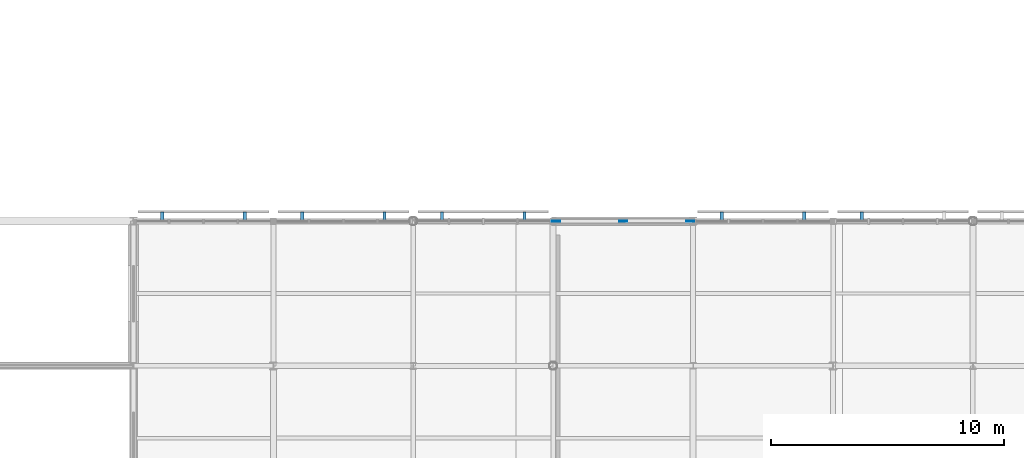
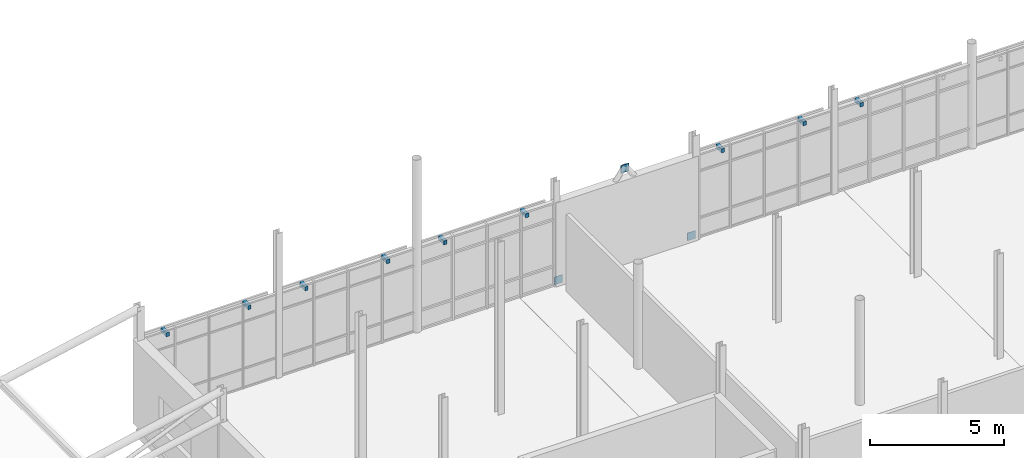
# One storey, part 67 of 84: 12 discrete accessories.
"""IFC4 building model written with IfcOpenShell, lengths in metres."""

from ifc_helpers import new_model, si_unit, direction, frame, origin, origin_2d, place, context, subcontext, project, spatial, rectangle, extrude, material, type_object, element, save


model = new_model("IFC4")

# Units and contexts
model_context = context("Model", 3, precision=1e-05, world=origin(), true_north=direction((0.0, 1.0)))
body_context = subcontext(model_context, "Body", "Model", "MODEL_VIEW")
ifc_project = project(units=[si_unit("LENGTHUNIT", "METRE"), si_unit("AREAUNIT", "SQUARE_METRE"), si_unit("VOLUMEUNIT", "CUBIC_METRE"), si_unit("PLANEANGLEUNIT", "RADIAN"), si_unit("MASSUNIT", "GRAM", prefix="KILO")], contexts=[model_context])

# Site, building, storey
site_placement = place(None, origin())
site = spatial("IfcSite", under=ifc_project, at=site_placement, CompositionType="ELEMENT")
building_placement = place(site_placement, origin())
building = spatial("IfcBuilding", under=site, at=building_placement, Name="Mirzam Square Science Centre", CompositionType="ELEMENT")
storey_placement = place(building_placement, frame((0.0, 0.0, 10.800048828125)))
storey = spatial("IfcBuildingStorey", under=building, at=storey_placement, Name="L02", CompositionType="ELEMENT", Elevation=10.800048828125)

# Discrete accessories
ifc_material = material(Name="Steel S355", Category="steel")
discrete_accessory_type_1 = type_object("IfcDiscreteAccessoryType", Name="BK-BRACE-GUSSET", PredefinedType="BRACKET", material=ifc_material)
for number, where, z_axis, x_axis, name in (
    (1, (36.1201171875, 80.60009765625, -0.005126953125), (0.0, 0.0, 1.0), (1.0, 0.0, 0.0), "L02 brace gusset plate 3A"),
    (2, (41.8798828125, 80.60009765625, -0.005126953125), (0.0, 0.0, 1.0), (1.0, 0.0, 0.0), "L02 brace gusset plate 3B"),
    (3, (39.0, 80.60009765625, 4.079833984375), (0.0, 0.0, 1.0), (1.0, 0.0, 0.0), "L02 brace apex gusset plate 3"),
):
    element("IfcDiscreteAccessory", number, at=place(storey_placement, frame(where, z_axis=z_axis, x_axis=x_axis)), inside=storey, type_object=discrete_accessory_type_1, Name=name, PredefinedType="BRACKET", context=body_context, shape_type="SweptSolid", body=[
        extrude(rectangle(XDim=0.35009765625, YDim=0.02490234375, at=origin_2d()), origin(), (0.0, 0.0, 1.0), 0.35009765625),
    ])
discrete_accessory_type_2 = type_object("IfcDiscreteAccessoryType", Name="BRK-BRISE-STEEL", PredefinedType="BRACKET", material=ifc_material)
for number, where, z_axis, x_axis, name in (
    (4, (22.76708984375, 80.7900390625, 3.5), (0.0, 0.0, 1.0), (-1.0, 0.0, 0.0), "L02 brise-soleil support bracket 19"),
    (5, (19.23291015625, 80.7900390625, 3.5), (0.0, 0.0, 1.0), (-1.0, 0.0, 0.0), "L02 brise-soleil support bracket 19"),
    (6, (28.76708984375, 80.7900390625, 3.5), (0.0, 0.0, 1.0), (-1.0, 0.0, 0.0), "L02 brise-soleil support bracket 20"),
    (7, (25.23291015625, 80.7900390625, 3.5), (0.0, 0.0, 1.0), (-1.0, 0.0, 0.0), "L02 brise-soleil support bracket 20"),
    (8, (34.76708984375, 80.7900390625, 3.5), (0.0, 0.0, 1.0), (-1.0, 0.0, 0.0), "L02 brise-soleil support bracket 21"),
    (9, (31.23291015625, 80.7900390625, 3.5), (0.0, 0.0, 1.0), (-1.0, 0.0, 0.0), "L02 brise-soleil support bracket 21"),
    (10, (46.76708984375, 80.7900390625, 3.5), (0.0, 0.0, 1.0), (-1.0, 0.0, 0.0), "L02 brise-soleil support bracket 22"),
    (11, (43.23291015625, 80.7900390625, 3.5), (0.0, 0.0, 1.0), (-1.0, 0.0, 0.0), "L02 brise-soleil support bracket 22"),
    (12, (49.23291015625, 80.7900390625, 3.5), (0.0, 0.0, 1.0), (-1.0, 0.0, 0.0), "L02 brise-soleil support bracket 23"),
):
    element("IfcDiscreteAccessory", number, at=place(storey_placement, frame(where, z_axis=z_axis, x_axis=x_axis)), inside=storey, type_object=discrete_accessory_type_2, Name=name, PredefinedType="BRACKET", context=body_context, shape_type="SweptSolid", body=[
        extrude(rectangle(XDim=0.139892578125, YDim=0.419921875, at=origin_2d()), origin(), (0.0, 0.0, 1.0), 0.179931640625),
    ])

save(model, "model.ifc")
